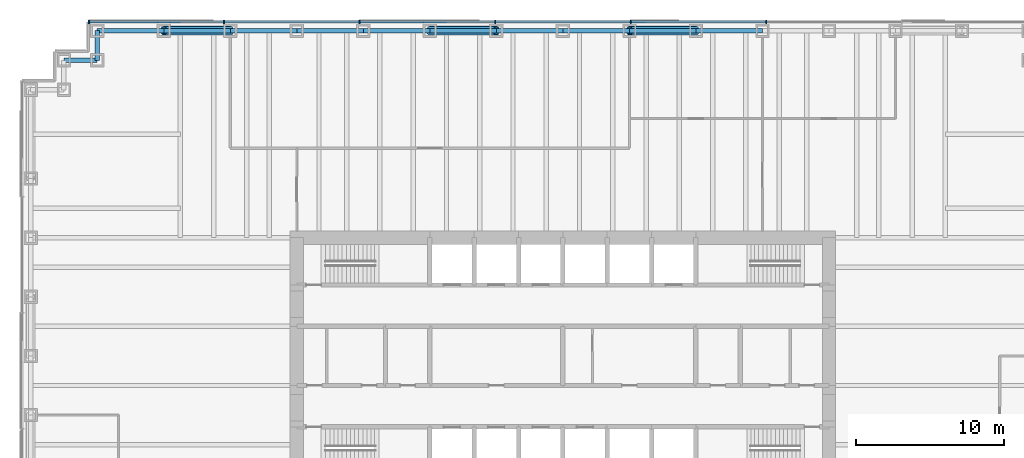
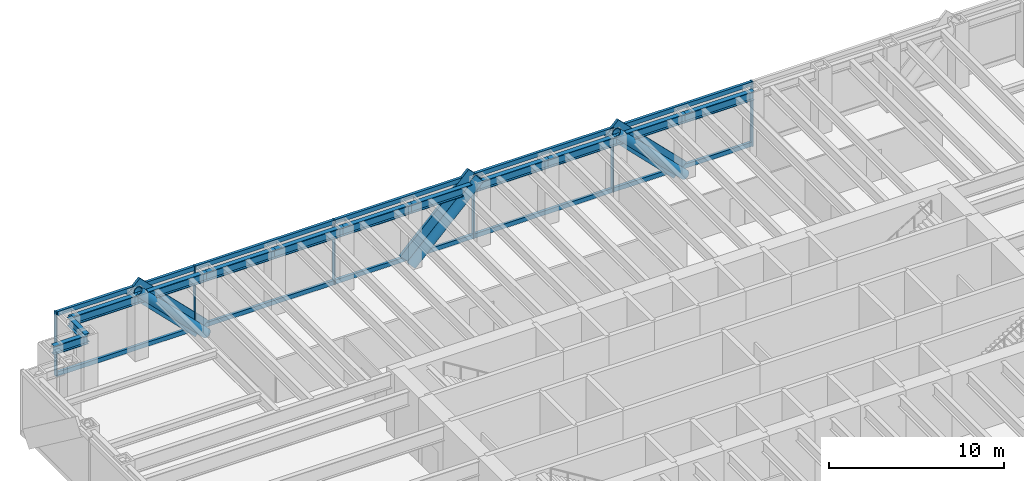
# One storey, part 7 of 15: 22 members, 12 beams, 1 element without a shape of its own.
"""IFC4 building model written with IfcOpenShell, lengths in metres."""

from ifc_helpers import new_model, si_unit, direction, frame, origin, origin_2d, place, context, subcontext, project, spatial, rectangle, hollow_circle, i_section, extrude, material, material_profile, profile_set, type_object, element, aggregate, save


model = new_model("IFC4")

# Units and contexts
model_context = context("Model", 3, precision=1e-05, world=origin(), true_north=direction((0.0, 1.0)))
body_context = subcontext(model_context, "Body", "Model", "MODEL_VIEW")
ifc_project = project(units=[si_unit("LENGTHUNIT", "METRE"), si_unit("AREAUNIT", "SQUARE_METRE"), si_unit("VOLUMEUNIT", "CUBIC_METRE"), si_unit("PLANEANGLEUNIT", "RADIAN"), si_unit("MASSUNIT", "GRAM", prefix="KILO")], contexts=[model_context])

# Site, building, storey
site_placement = place(None, origin())
site = spatial("IfcSite", under=ifc_project, at=site_placement, CompositionType="ELEMENT")
building_placement = place(site_placement, origin())
building = spatial("IfcBuilding", under=site, at=building_placement, Name="Rheinbord Bourse Tower", CompositionType="ELEMENT")
storey_placement = place(building_placement, frame((0.0, 0.0, 23.0)))
storey = spatial("IfcBuildingStorey", under=building, at=storey_placement, Name="L04", CompositionType="ELEMENT", Elevation=23.0)

# Curtain wall, members
ifc_material_1 = material(Name="Dark glass and black aluminium", Category="aluminium")
curtain_wall_type = type_object("IfcCurtainWallType", Name="CW1 DARK GLASS CURTAIN WALL", PredefinedType="USERDEFINED", material=ifc_material_1)
curtain_wall_placement = place(storey_placement, origin())
curtain_wall = element("IfcCurtainWall", 1, at=curtain_wall_placement, inside=storey, type_object=curtain_wall_type, Name="Curtain wall CW1 N L04", ObjectType="UNITISED CURTAIN WALL", PredefinedType="USERDEFINED")
ifc_material_2 = material(Name="Black anodised aluminium", Category="aluminium")
ifc_material_profile_1 = material_profile(ifc_material_2, rectangle(XDim=0.179931640625, YDim=1.2099609375, at=origin_2d()), Name="CW1 DIAGONAL MULLION 1210x180")
ifc_profile_set_1 = profile_set([ifc_material_profile_1], Name="Black anodised aluminium")
member_type_1 = type_object("IfcMemberType", Name="CW1 BLACK DIAGONAL MULLION", PredefinedType="USERDEFINED", material=ifc_profile_set_1)
member_1_placement = place(storey_placement, frame((27.0, 46.60009765625, 0.0), z_axis=(0.707106781187, 0.0, 0.707106781187), x_axis=(0.0, 1.0, 0.0)))
member_1 = element("IfcMember", 2, at=member_1_placement, type_object=member_type_1, Name="CW1 diagonal mullion a", ObjectType="DIAGONAL MULLION", PredefinedType="USERDEFINED", context=body_context, shape_type="SweptSolid", body=[
    extrude(rectangle(XDim=0.179931640625, YDim=1.2099609375, at=origin_2d()), origin(), (0.0, 0.0, 1.0), 6.364013671875),
])
member_2_placement = place(storey_placement, frame((45.0, 46.60009765625, 0.0), z_axis=(-0.707106781187, 0.0, 0.707106781187), x_axis=(0.0, -1.0, 0.0)))
member_2 = element("IfcMember", 3, at=member_2_placement, type_object=member_type_1, Name="CW1 diagonal mullion b", ObjectType="DIAGONAL MULLION", PredefinedType="USERDEFINED", context=body_context, shape_type="SweptSolid", body=[
    extrude(rectangle(XDim=0.179931640625, YDim=1.2099609375, at=origin_2d()), origin(), (0.0, 0.0, 1.0), 6.364013671875),
])
member_3_placement = place(storey_placement, frame((13.5, 46.60009765625, 0.0), z_axis=(-0.707106781187, 0.0, 0.707106781187), x_axis=(0.0, -1.0, 0.0)))
member_3 = element("IfcMember", 4, at=member_3_placement, type_object=member_type_1, Name="CW1 diagonal mullion d", ObjectType="DIAGONAL MULLION", PredefinedType="USERDEFINED", context=body_context, shape_type="SweptSolid", body=[
    extrude(rectangle(XDim=0.179931640625, YDim=1.2099609375, at=origin_2d()), origin(), (0.0, 0.0, 1.0), 6.364013671875),
])
ifc_material_3 = material(Name="Black anodised aluminium", Category="aluminium")
ifc_material_profile_2 = material_profile(ifc_material_3, rectangle(XDim=0.25, YDim=0.080078125, at=origin_2d()), Name="CW1 MULLION 80x250")
ifc_profile_set_2 = profile_set([ifc_material_profile_2], Name="Black anodised aluminium")
member_type_2 = type_object("IfcMemberType", Name="CW1 BLACK MULLION", PredefinedType="MULLION", material=ifc_profile_set_2)
member_4_placement = place(storey_placement, frame((49.757080078125, 46.60009765625, 0.0), z_axis=(0.0, 0.0, 1.0), x_axis=(0.0, -1.0, 0.0)))
member_4 = element("IfcMember", 5, at=member_4_placement, type_object=member_type_2, Name="CW1 mullion 3", PredefinedType="MULLION", context=body_context, shape_type="SweptSolid", body=[
    extrude(rectangle(XDim=0.25, YDim=0.080078125, at=origin_2d()), origin(), (0.0, 0.0, 1.0), 4.5),
])
member_5_placement = place(storey_placement, frame((40.585693359375, 46.60009765625, 0.0), z_axis=(0.0, 0.0, 1.0), x_axis=(0.0, -1.0, 0.0)))
member_5 = element("IfcMember", 6, at=member_5_placement, type_object=member_type_2, Name="CW1 mullion 4", PredefinedType="MULLION", context=body_context, shape_type="SweptSolid", body=[
    extrude(rectangle(XDim=0.25, YDim=0.080078125, at=origin_2d()), origin(), (0.0, 0.0, 1.0), 4.5),
])
member_6_placement = place(storey_placement, frame((31.414306640625, 46.60009765625, 0.0), z_axis=(0.0, 0.0, 1.0), x_axis=(0.0, -1.0, 0.0)))
member_6 = element("IfcMember", 7, at=member_6_placement, type_object=member_type_2, Name="CW1 mullion 5", PredefinedType="MULLION", context=body_context, shape_type="SweptSolid", body=[
    extrude(rectangle(XDim=0.25, YDim=0.080078125, at=origin_2d()), origin(), (0.0, 0.0, 1.0), 4.5),
])
member_7_placement = place(storey_placement, frame((22.242919921875, 46.60009765625, 0.0), z_axis=(0.0, 0.0, 1.0), x_axis=(0.0, -1.0, 0.0)))
member_7 = element("IfcMember", 8, at=member_7_placement, type_object=member_type_2, Name="CW1 mullion 6", PredefinedType="MULLION", context=body_context, shape_type="SweptSolid", body=[
    extrude(rectangle(XDim=0.25, YDim=0.080078125, at=origin_2d()), origin(), (0.0, 0.0, 1.0), 4.5),
])
member_8_placement = place(storey_placement, frame((13.071533203125, 46.60009765625, 0.0), z_axis=(0.0, 0.0, 1.0), x_axis=(0.0, -1.0, 0.0)))
member_8 = element("IfcMember", 9, at=member_8_placement, type_object=member_type_2, Name="CW1 mullion 7", PredefinedType="MULLION", context=body_context, shape_type="SweptSolid", body=[
    extrude(rectangle(XDim=0.25, YDim=0.080078125, at=origin_2d()), origin(), (0.0, 0.0, 1.0), 4.5),
])
member_9_placement = place(storey_placement, frame((3.93994140625, 46.60009765625, 0.0), z_axis=(0.0, 0.0, 1.0), x_axis=(0.0, -1.0, 0.0)))
member_9 = element("IfcMember", 10, at=member_9_placement, type_object=member_type_2, Name="CW1 mullion 8", PredefinedType="MULLION", context=body_context, shape_type="SweptSolid", body=[
    extrude(rectangle(XDim=0.25, YDim=0.080078125, at=origin_2d()), origin(), (0.0, 0.0, 1.0), 4.5),
])
ifc_material_4 = material(Name="Black anodised aluminium", Category="aluminium")
ifc_material_profile_3 = material_profile(ifc_material_4, rectangle(XDim=0.179931640625, YDim=0.300048828125, at=origin_2d()), Name="CW1 TRANSOM 300x180")
ifc_profile_set_3 = profile_set([ifc_material_profile_3], Name="Black anodised aluminium")
member_type_3 = type_object("IfcMemberType", Name="CW1 BLACK TRANSOM", PredefinedType="USERDEFINED", material=ifc_profile_set_3)
member_10_placement = place(storey_placement, frame((49.717041015625, 46.60009765625, 0.14990234375), z_axis=(-1.0, 0.0, 0.0), x_axis=(0.0, -1.0, 0.0)))
member_10 = element("IfcMember", 11, at=member_10_placement, type_object=member_type_3, Name="CW1 transom 3.1", ObjectType="TRANSOM", PredefinedType="USERDEFINED", context=body_context, shape_type="SweptSolid", body=[
    extrude(rectangle(XDim=0.179931640625, YDim=0.300048828125, at=origin_2d()), origin(), (0.0, 0.0, 1.0), 9.09130859375),
])
member_11_placement = place(storey_placement, frame((49.717041015625, 46.60009765625, 4.35009765625), z_axis=(-1.0, 0.0, 0.0), x_axis=(0.0, -1.0, 0.0)))
member_11 = element("IfcMember", 12, at=member_11_placement, type_object=member_type_3, Name="CW1 transom 3.2", ObjectType="TRANSOM", PredefinedType="USERDEFINED", context=body_context, shape_type="SweptSolid", body=[
    extrude(rectangle(XDim=0.179931640625, YDim=0.300048828125, at=origin_2d()), origin(), (0.0, 0.0, 1.0), 9.09130859375),
])
member_12_placement = place(storey_placement, frame((40.545654296875, 46.60009765625, 0.14990234375), z_axis=(-1.0, 0.0, 0.0), x_axis=(0.0, -1.0, 0.0)))
member_12 = element("IfcMember", 13, at=member_12_placement, type_object=member_type_3, Name="CW1 transom 4.1", ObjectType="TRANSOM", PredefinedType="USERDEFINED", context=body_context, shape_type="SweptSolid", body=[
    extrude(rectangle(XDim=0.179931640625, YDim=0.300048828125, at=origin_2d()), origin(), (0.0, 0.0, 1.0), 9.09130859375),
])
member_13_placement = place(storey_placement, frame((40.545654296875, 46.60009765625, 4.35009765625), z_axis=(-1.0, 0.0, 0.0), x_axis=(0.0, -1.0, 0.0)))
member_13 = element("IfcMember", 14, at=member_13_placement, type_object=member_type_3, Name="CW1 transom 4.2", ObjectType="TRANSOM", PredefinedType="USERDEFINED", context=body_context, shape_type="SweptSolid", body=[
    extrude(rectangle(XDim=0.179931640625, YDim=0.300048828125, at=origin_2d()), origin(), (0.0, 0.0, 1.0), 9.09130859375),
])
member_14_placement = place(storey_placement, frame((31.374267578125, 46.60009765625, 0.14990234375), z_axis=(-1.0, 0.0, 0.0), x_axis=(0.0, -1.0, 0.0)))
member_14 = element("IfcMember", 15, at=member_14_placement, type_object=member_type_3, Name="CW1 transom 5.1", ObjectType="TRANSOM", PredefinedType="USERDEFINED", context=body_context, shape_type="SweptSolid", body=[
    extrude(rectangle(XDim=0.179931640625, YDim=0.300048828125, at=origin_2d()), origin(), (0.0, 0.0, 1.0), 9.09130859375),
])
member_15_placement = place(storey_placement, frame((31.374267578125, 46.60009765625, 4.35009765625), z_axis=(-1.0, 0.0, 0.0), x_axis=(0.0, -1.0, 0.0)))
member_15 = element("IfcMember", 16, at=member_15_placement, type_object=member_type_3, Name="CW1 transom 5.2", ObjectType="TRANSOM", PredefinedType="USERDEFINED", context=body_context, shape_type="SweptSolid", body=[
    extrude(rectangle(XDim=0.179931640625, YDim=0.300048828125, at=origin_2d()), origin(), (0.0, 0.0, 1.0), 9.09130859375),
])
member_16_placement = place(storey_placement, frame((22.202880859375, 46.60009765625, 0.14990234375), z_axis=(-1.0, 0.0, 0.0), x_axis=(0.0, -1.0, 0.0)))
member_16 = element("IfcMember", 17, at=member_16_placement, type_object=member_type_3, Name="CW1 transom 6.1", ObjectType="TRANSOM", PredefinedType="USERDEFINED", context=body_context, shape_type="SweptSolid", body=[
    extrude(rectangle(XDim=0.179931640625, YDim=0.300048828125, at=origin_2d()), origin(), (0.0, 0.0, 1.0), 9.091552734375),
])
member_17_placement = place(storey_placement, frame((22.202880859375, 46.60009765625, 4.35009765625), z_axis=(-1.0, 0.0, 0.0), x_axis=(0.0, -1.0, 0.0)))
member_17 = element("IfcMember", 18, at=member_17_placement, type_object=member_type_3, Name="CW1 transom 6.2", ObjectType="TRANSOM", PredefinedType="USERDEFINED", context=body_context, shape_type="SweptSolid", body=[
    extrude(rectangle(XDim=0.179931640625, YDim=0.300048828125, at=origin_2d()), origin(), (0.0, 0.0, 1.0), 9.091552734375),
])
member_18_placement = place(storey_placement, frame((13.031494140625, 46.60009765625, 0.14990234375), z_axis=(-1.0, 0.0, 0.0), x_axis=(0.0, -1.0, 0.0)))
member_18 = element("IfcMember", 19, at=member_18_placement, type_object=member_type_3, Name="CW1 transom 7.1", ObjectType="TRANSOM", PredefinedType="USERDEFINED", context=body_context, shape_type="SweptSolid", body=[
    extrude(rectangle(XDim=0.179931640625, YDim=0.300048828125, at=origin_2d()), origin(), (0.0, 0.0, 1.0), 9.051513671875),
])
member_19_placement = place(storey_placement, frame((13.031494140625, 46.60009765625, 4.35009765625), z_axis=(-1.0, 0.0, 0.0), x_axis=(0.0, -1.0, 0.0)))
member_19 = element("IfcMember", 20, at=member_19_placement, type_object=member_type_3, Name="CW1 transom 7.2", ObjectType="TRANSOM", PredefinedType="USERDEFINED", context=body_context, shape_type="SweptSolid", body=[
    extrude(rectangle(XDim=0.179931640625, YDim=0.300048828125, at=origin_2d()), origin(), (0.0, 0.0, 1.0), 9.051513671875),
])
aggregate(curtain_wall, [member_4, member_5, member_6, member_7, member_8, member_9, member_10, member_11, member_12, member_13, member_14, member_15, member_16, member_17, member_18, member_19, member_1, member_2, member_3])

# Members
ifc_material_5 = material(Name="Steel S460", Category="steel")
ifc_material_profile_4 = material_profile(ifc_material_5, hollow_circle(Radius=0.304931640625, WallThickness=0.050048828125, at=origin_2d()), Name="CHS 610x50")
ifc_profile_set_4 = profile_set([ifc_material_profile_4], Name="Steel S460")
member_type_4 = type_object("IfcMemberType", Name="MEGABRACE CHS 610x50", PredefinedType="BRACE", material=ifc_profile_set_4)
for number, where, z_axis, x_axis, name in (
    (21, (27.0, 46.0, 0.0), (0.707106781187, 0.0, 0.707106781187), (0.0, 1.0, 0.0), "Megabrace N face line a L04"),
    (22, (45.0, 46.0, 0.0), (-0.707106781187, 0.0, 0.707106781187), (0.0, -1.0, 0.0), "Megabrace N face line b L04"),
    (23, (13.5, 46.0, 0.0), (-0.707106781187, 0.0, 0.707106781187), (0.0, -1.0, 0.0), "Megabrace N face line d L04"),
):
    element("IfcMember", number, at=place(storey_placement, frame(where, z_axis=z_axis, x_axis=x_axis)), inside=storey, type_object=member_type_4, Name=name, PredefinedType="BRACE", context=body_context, shape_type="SweptSolid", body=[
        extrude(hollow_circle(Radius=0.304931640625, WallThickness=0.050048828125, at=origin_2d()), origin(), (0.0, 0.0, 1.0), 6.364013671875),
    ])

# Beams
ifc_material_6 = material(Name="Steel S460", Category="steel")
ifc_material_profile_5 = material_profile(ifc_material_6, i_section(OverallWidth=0.304931640625, OverallDepth=0.6201171875, WebThickness=0.02099609375, FlangeThickness=0.0400390625, at=origin_2d()), Name="HEM 600")
ifc_profile_set_5 = profile_set([ifc_material_profile_5], Name="Steel S460")
beam_type = type_object("IfcBeamType", Name="SPANDREL HEM 600", PredefinedType="SPANDREL", material=ifc_profile_set_5)
for number, where, z_axis, x_axis, name in (
    (24, (49.5, 46.0, 4.010009765625), (-1.0, 0.0, 0.0), (0.0, -1.0, 0.0), "Spandrel N-49.5-N-45 under L05"),
    (25, (45.0, 46.0, 4.010009765625), (-1.0, 0.0, 0.0), (0.0, -1.0, 0.0), "Spandrel N-45-N-40.5 under L05"),
    (26, (40.5, 46.0, 4.010009765625), (-1.0, 0.0, 0.0), (0.0, -1.0, 0.0), "Spandrel N-40.5-N-36 under L05"),
    (27, (36.0, 46.0, 4.010009765625), (-1.0, 0.0, 0.0), (0.0, -1.0, 0.0), "Spandrel N-36-N-31.5 under L05"),
    (28, (31.5, 46.0, 4.010009765625), (-1.0, 0.0, 0.0), (0.0, -1.0, 0.0), "Spandrel N-31.5-N-27 under L05"),
    (29, (27.0, 46.0, 4.010009765625), (-1.0, 0.0, 0.0), (0.0, -1.0, 0.0), "Spandrel N-27-N-22.5 under L05"),
    (30, (22.5, 46.0, 4.010009765625), (-1.0, 0.0, 0.0), (0.0, -1.0, 0.0), "Spandrel N-22.5-N-18 under L05"),
    (31, (18.0, 46.0, 4.010009765625), (-1.0, 0.0, 0.0), (0.0, -1.0, 0.0), "Spandrel N-18-N-13.5 under L05"),
    (32, (13.5, 46.0, 4.010009765625), (-1.0, 0.0, 0.0), (0.0, -1.0, 0.0), "Spandrel N-13.5-N-9 under L05"),
    (33, (9.0, 46.0, 4.010009765625), (-1.0, 0.0, 0.0), (0.0, -1.0, 0.0), "Spandrel N-9-NW-E under L05"),
):
    element("IfcBeam", number, at=place(storey_placement, frame(where, z_axis=z_axis, x_axis=x_axis)), inside=storey, type_object=beam_type, Name=name, PredefinedType="SPANDREL", context=body_context, shape_type="SweptSolid", body=[
        extrude(i_section(OverallWidth=0.304931640625, OverallDepth=0.6201171875, WebThickness=0.02099609375, FlangeThickness=0.0400390625, at=origin_2d()), origin(), (0.0, 0.0, 1.0), 4.5),
    ])
beam_1_placement = place(storey_placement, frame((4.5, 46.0, 4.010009765625), z_axis=(0.0, -1.0, 0.0), x_axis=(1.0, 0.0, 0.0)))
element("IfcBeam", 34, at=beam_1_placement, inside=storey, type_object=beam_type, Name="Spandrel NW-E-NW-D under L05", PredefinedType="SPANDREL", context=body_context, shape_type="SweptSolid", body=[
    extrude(i_section(OverallWidth=0.304931640625, OverallDepth=0.6201171875, WebThickness=0.02099609375, FlangeThickness=0.0400390625, at=origin_2d()), origin(), (0.0, 0.0, 1.0), 2.0),
])
beam_2_placement = place(storey_placement, frame((4.5, 44.0, 4.010009765625), z_axis=(-1.0, 0.0, 0.0), x_axis=(0.0, -1.0, 0.0)))
element("IfcBeam", 35, at=beam_2_placement, inside=storey, type_object=beam_type, Name="Spandrel NW-D-NW-C under L05", PredefinedType="SPANDREL", context=body_context, shape_type="SweptSolid", body=[
    extrude(i_section(OverallWidth=0.304931640625, OverallDepth=0.6201171875, WebThickness=0.02099609375, FlangeThickness=0.0400390625, at=origin_2d()), origin(), (0.0, 0.0, 1.0), 2.25),
])

save(model, "model.ifc")
